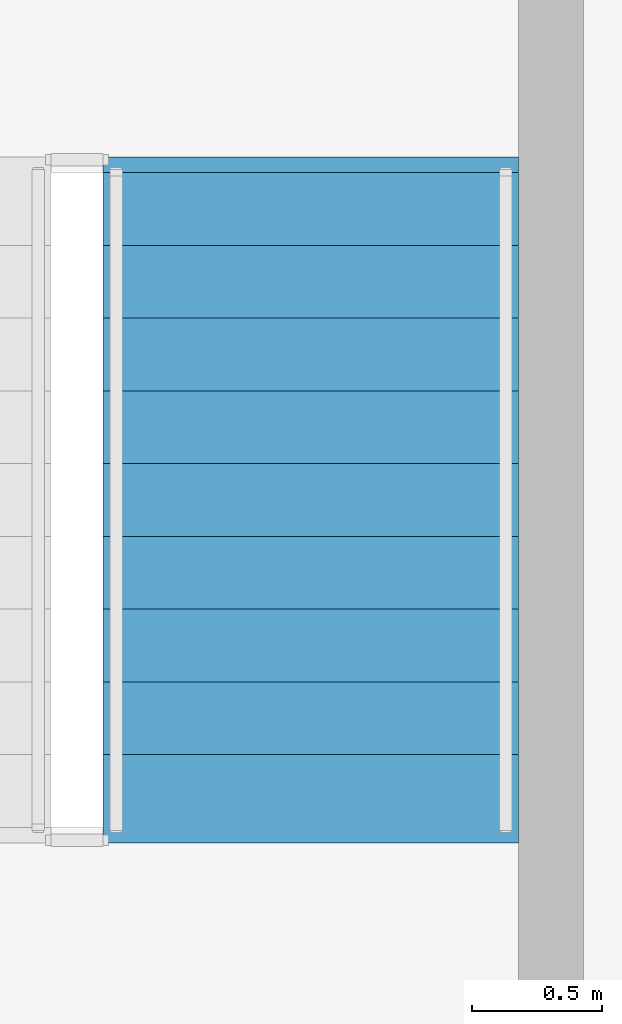
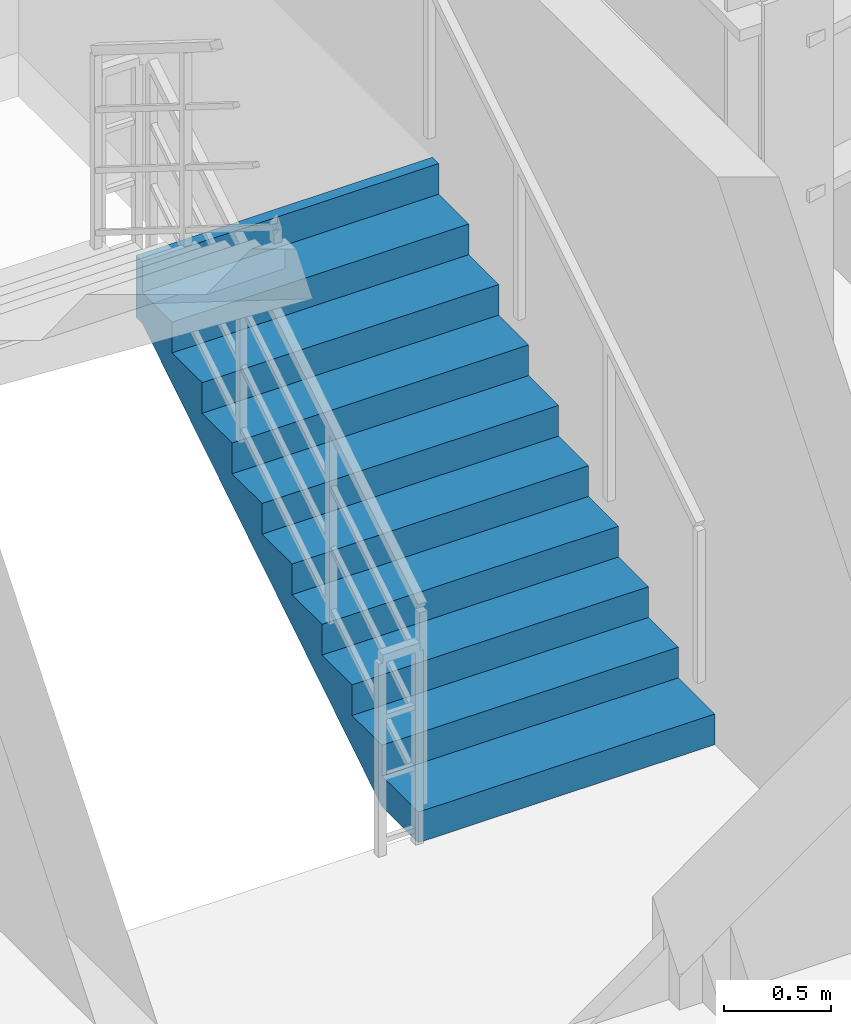
# One storey, part 11 of 12: 1 stair flight, 1 element without a shape of its own.
"""IFC4 building model written with IfcOpenShell, lengths in metres."""

from ifc_helpers import new_model, si_unit, direction, frame, origin, place, context, subcontext, project, spatial, polyline, outline, extrude, material, type_object, element, aggregate, save


model = new_model("IFC4")

# Units and contexts
model_context = context("Model", 3, precision=1e-05, world=origin(), true_north=direction((0.0, 1.0)))
body_context = subcontext(model_context, "Body", "Model", "MODEL_VIEW")
ifc_project = project(units=[si_unit("LENGTHUNIT", "METRE"), si_unit("AREAUNIT", "SQUARE_METRE"), si_unit("VOLUMEUNIT", "CUBIC_METRE"), si_unit("PLANEANGLEUNIT", "RADIAN"), si_unit("MASSUNIT", "GRAM", prefix="KILO")], contexts=[model_context])

# Site, building, storey
site_placement = place(None, origin())
site = spatial("IfcSite", under=ifc_project, at=site_placement, CompositionType="ELEMENT")
building_placement = place(site_placement, origin())
building = spatial("IfcBuilding", under=site, at=building_placement, Name="Varakhsha Concourse Tower", CompositionType="ELEMENT")
storey_placement = place(building_placement, frame((0.0, 0.0, 269.0)))
storey = spatial("IfcBuildingStorey", under=building, at=storey_placement, Name="L76", CompositionType="ELEMENT", Elevation=269.0)

# Stair, stair flight
ifc_material = material(Name="Concrete fc 45 MPa", Category="concrete")
stair_type = type_object("IfcStairType", Name="ST-DOGLEG-1600", PredefinedType="HALF_TURN_STAIR", material=ifc_material)
stair_placement = place(storey_placement, origin())
stair = element("IfcStair", 1, at=stair_placement, inside=storey, type_object=stair_type, Name="L76 Protected Exit Stair ST5", PredefinedType="HALF_TURN_STAIR")
stair_flight_type = type_object("IfcStairFlightType", Name="STF-1600-R1750", PredefinedType="STRAIGHT", material=ifc_material)
stair_flight_placement = place(storey_placement, frame((40.89990234375, 40.300048828125, 0.0), z_axis=(0.0, 0.0, 1.0), x_axis=(0.0, 1.0, 0.0)))
stair_flight = element("IfcStairFlight", 2, at=stair_flight_placement, type_object=stair_flight_type, Name="ST5 flight 1", NumberOfRisers=10, NumberOfTreads=9, PredefinedType="STRAIGHT", RiserHeight=0.175, TreadLength=0.28, context=body_context, shape_type="SweptSolid", body=[
    extrude(outline(polyline([(-0.06005859375, 0.0), (-0.06005859375, 0.175048828125), (0.0, 0.175048828125), (0.280029296875, 0.175048828125), (0.280029296875, 0.35009765625), (0.56005859375, 0.35009765625), (0.56005859375, 0.52490234375), (0.840087890625, 0.52490234375), (0.840087890625, 0.699951171875), (1.1201171875, 0.699951171875), (1.1201171875, 0.875), (1.39990234375, 0.875), (1.39990234375, 1.050048828125), (1.679931640625, 1.050048828125), (1.679931640625, 1.22509765625), (1.9599609375, 1.22509765625), (1.9599609375, 1.39990234375), (2.239990234375, 1.39990234375), (2.239990234375, 1.574951171875), (2.52001953125, 1.574951171875), (2.52001953125, 1.75), (2.580078125, 1.75), (2.580078125, 1.398193359375), (2.52001953125, 1.398193359375), (0.28271484375, 0.0), (-0.06005859375, 0.0)])), frame((0.0, 0.800048828125, 0.0), z_axis=(0.0, -1.0, 0.0), x_axis=(1.0, 0.0, 0.0)), (0.0, 0.0, 1.0), 1.60009765625),
])
aggregate(stair, [stair_flight])

save(model, "model.ifc")
